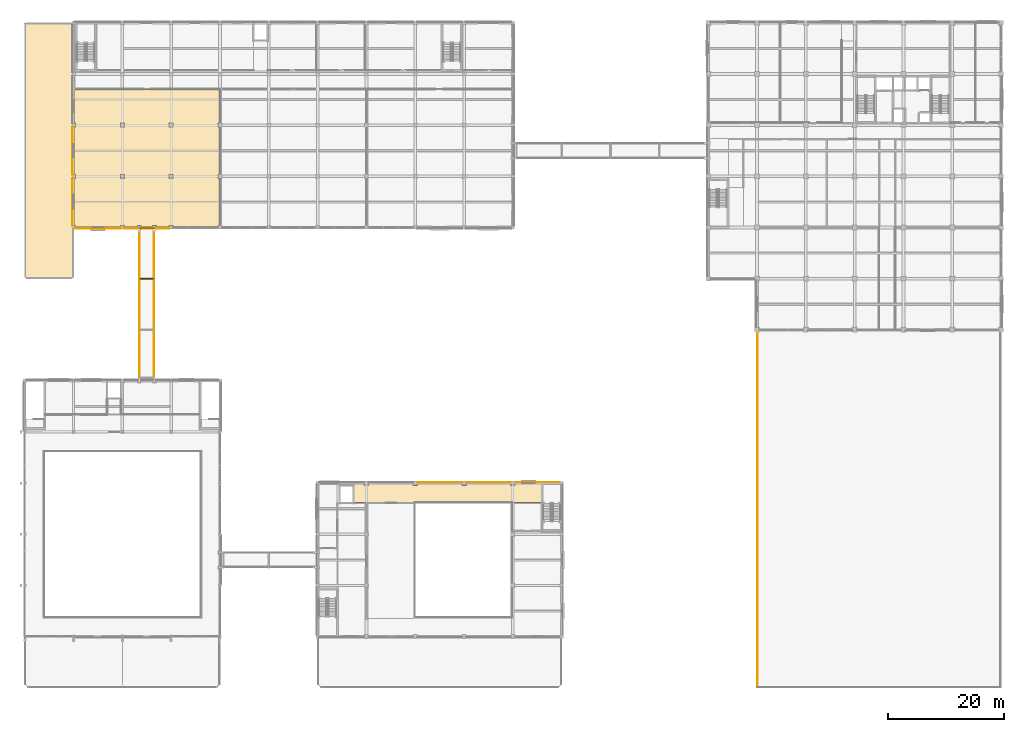
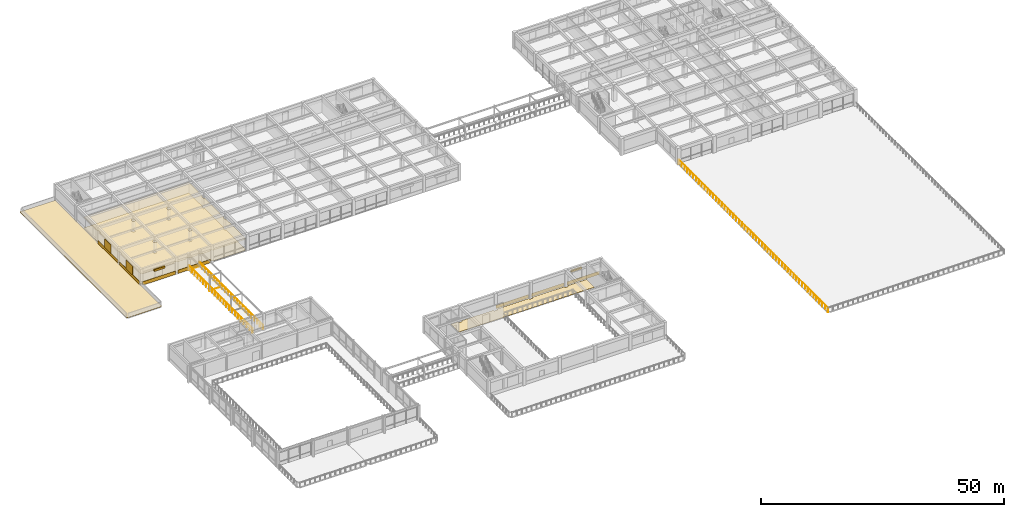
# One storey, part 48 of 57: 15 coverings, 4 shading devices, 3 railings.
"""IFC4 building model written with IfcOpenShell, lengths in metres."""

from ifc_helpers import new_model, si_unit, direction, frame, origin, origin_2d, place, context, subcontext, project, spatial, polyline, rectangle, circle, outline, extrude, material, layer, layer_set, type_object, element, save


model = new_model("IFC4")

# Units and contexts
model_context = context("Model", 3, precision=1e-05, world=origin(), true_north=direction((0.0, 1.0)))
body_context = subcontext(model_context, "Body", "Model", "MODEL_VIEW")
ifc_project = project(units=[si_unit("LENGTHUNIT", "METRE"), si_unit("AREAUNIT", "SQUARE_METRE"), si_unit("VOLUMEUNIT", "CUBIC_METRE"), si_unit("PLANEANGLEUNIT", "RADIAN"), si_unit("MASSUNIT", "GRAM", prefix="KILO")], contexts=[model_context])

# Site, building, storey
site_placement = place(None, origin())
site = spatial("IfcSite", under=ifc_project, at=site_placement, CompositionType="ELEMENT")
building_placement = place(site_placement, origin())
building = spatial("IfcBuilding", under=site, at=building_placement, Name="Kemercrest Conservatory and Botanical Centre", CompositionType="ELEMENT")
storey_placement = place(building_placement, frame((0.0, 0.0, 4.800048828125)))
storey = spatial("IfcBuildingStorey", under=building, at=storey_placement, Name="L01", CompositionType="ELEMENT", Elevation=4.800048828125)

# Coverings
ifc_material_1 = material(Name="Glazed turquoise ceramic tile spandrel", Category="masonry")
ifc_layer_1 = layer(ifc_material_1, 0.028076171875)
ifc_layer_set_1 = layer_set([ifc_layer_1], Name="Glazed turquoise ceramic tile spandrel")
covering_type_1 = type_object("IfcCoveringType", Name="CV-CLD028", PredefinedType="CLADDING", material=ifc_layer_set_1)
covering_1_placement = place(storey_placement, origin())
element("IfcCovering", 1, at=covering_1_placement, inside=storey, type_object=covering_type_1, Name="Exterior stone spandrel cladding (WAL:L01:EXT-045)", PredefinedType="CLADDING", context=body_context, shape_type="SweptSolid", body=[
    extrude(outline(polyline([(100.090087890625, 43.35009765625), (100.090087890625, 43.3779296875), (92.360107421875, 43.3779296875), (92.360107421875, 43.35009765625), (100.090087890625, 43.35009765625)])), origin(), (0.0, 0.0, 1.0), 0.849853515625),
])
covering_2_placement = place(storey_placement, origin())
element("IfcCovering", 2, at=covering_2_placement, inside=storey, type_object=covering_type_1, Name="Exterior stone spandrel cladding (WAL:L01:EXT-046)", PredefinedType="CLADDING", context=body_context, shape_type="SweptSolid", body=[
    extrude(outline(polyline([(91.639892578125, 43.35009765625), (91.639892578125, 43.3779296875), (83.9599609375, 43.3779296875), (83.9599609375, 43.35009765625), (91.639892578125, 43.35009765625)])), origin(), (0.0, 0.0, 1.0), 0.849853515625),
])
covering_3_placement = place(storey_placement, origin())
element("IfcCovering", 3, at=covering_3_placement, inside=storey, type_object=covering_type_1, Name="Exterior stone spandrel cladding (WAL:L01:EXT-047)", PredefinedType="CLADDING", context=body_context, shape_type="SweptSolid", body=[
    extrude(outline(polyline([(83.239990234375, 43.35009765625), (83.239990234375, 43.3779296875), (75.56005859375, 43.3779296875), (75.56005859375, 43.35009765625), (83.239990234375, 43.35009765625)])), origin(), (0.0, 0.0, 1.0), 0.849853515625),
])
ifc_material_2 = material(Name="Honed limestone almasik ashlar rainscreen", Category="masonry")
ifc_layer_2 = layer(ifc_material_2, 0.0400390625)
ifc_layer_set_2 = layer_set([ifc_layer_2], Name="Honed limestone almasik ashlar rainscreen")
covering_type_2 = type_object("IfcCoveringType", Name="CV-CLD040", PredefinedType="CLADDING", material=ifc_layer_set_2)
covering_4_placement = place(storey_placement, origin())
element("IfcCovering", 4, at=covering_4_placement, inside=storey, type_object=covering_type_2, Name="Exterior stone spandrel cladding (WAL:L01:EXT-096)", PredefinedType="CLADDING", context=body_context, shape_type="SweptSolid", body=[
    extrude(outline(polyline([(16.7099609375, 87.050048828125), (16.7099609375, 87.010009765625), (24.489990234375, 87.010009765625), (24.489990234375, 87.050048828125), (16.7099609375, 87.050048828125)])), origin(), (0.0, 0.0, 1.0), 0.849853515625),
])
covering_5_placement = place(storey_placement, origin())
element("IfcCovering", 5, at=covering_5_placement, inside=storey, type_object=covering_type_2, Name="Exterior stone spandrel cladding (WAL:L01:EXT-097-S1)", PredefinedType="CLADDING", context=body_context, shape_type="SweptSolid", body=[
    extrude(outline(polyline([(25.110107421875, 87.050048828125), (25.110107421875, 87.010009765625), (27.389892578125, 87.010009765625), (27.389892578125, 87.050048828125), (25.110107421875, 87.050048828125)])), origin(), (0.0, 0.0, 1.0), 0.849853515625),
])
covering_6_placement = place(storey_placement, origin())
element("IfcCovering", 6, at=covering_6_placement, inside=storey, type_object=covering_type_2, Name="Exterior stone spandrel cladding (WAL:L01:EXT-097-S2)", PredefinedType="CLADDING", context=body_context, shape_type="SweptSolid", body=[
    extrude(outline(polyline([(28.010009765625, 87.050048828125), (28.010009765625, 87.010009765625), (29.989990234375, 87.010009765625), (29.989990234375, 87.050048828125), (28.010009765625, 87.050048828125)])), origin(), (0.0, 0.0, 1.0), 0.849853515625),
])
covering_7_placement = place(storey_placement, origin())
element("IfcCovering", 7, at=covering_7_placement, inside=storey, type_object=covering_type_2, Name="Exterior stone spandrel cladding (WAL:L01:EXT-097-S3)", PredefinedType="CLADDING", context=body_context, shape_type="SweptSolid", body=[
    extrude(outline(polyline([(30.610107421875, 87.050048828125), (30.610107421875, 87.010009765625), (32.889892578125, 87.010009765625), (32.889892578125, 87.050048828125), (30.610107421875, 87.050048828125)])), origin(), (0.0, 0.0, 1.0), 0.849853515625),
])
covering_8_placement = place(storey_placement, origin())
element("IfcCovering", 8, at=covering_8_placement, inside=storey, type_object=covering_type_2, Name="Exterior stone spandrel cladding (WAL:L01:EXT-115)", PredefinedType="CLADDING", context=body_context, shape_type="SweptSolid", body=[
    extrude(outline(polyline([(16.25, 104.489990234375), (16.2099609375, 104.489990234375), (16.2099609375, 96.31005859375), (16.25, 96.31005859375), (16.25, 104.489990234375)])), origin(), (0.0, 0.0, 1.0), 0.849853515625),
])
covering_9_placement = place(storey_placement, origin())
element("IfcCovering", 9, at=covering_9_placement, inside=storey, type_object=covering_type_2, Name="Exterior stone spandrel cladding (WAL:L01:EXT-116)", PredefinedType="CLADDING", context=body_context, shape_type="SweptSolid", body=[
    extrude(outline(polyline([(16.25, 95.68994140625), (16.2099609375, 95.68994140625), (16.2099609375, 87.510009765625), (16.25, 87.510009765625), (16.25, 95.68994140625)])), origin(), (0.0, 0.0, 1.0), 0.849853515625),
])
ifc_material_3 = material(Name="Perforated acoustic gypsum and mineral-fibre suspended ceiling", Category="gypsum")
ifc_layer_3 = layer(ifc_material_3, 0.034912109375)
ifc_layer_set_3 = layer_set([ifc_layer_3], Name="Perforated acoustic gypsum and mineral-fibre suspended ceiling")
covering_type_3 = type_object("IfcCoveringType", Name="CV-CLG035", PredefinedType="CEILING", material=ifc_layer_set_3)
covering_10_placement = place(storey_placement, frame((0.0, 0.0, 2.699951171875)))
element("IfcCovering", 10, at=covering_10_placement, inside=storey, type_object=covering_type_3, Name="Education Studio suspended acoustic ceiling", PredefinedType="CEILING", context=body_context, shape_type="SweptSolid", body=[
    extrude(outline(polyline([(32.860107421875, 87.5400390625), (33.5400390625, 87.5400390625), (33.5400390625, 87.280029296875), (41.260009765625, 87.280029296875), (41.260009765625, 87.5400390625), (41.52001953125, 87.5400390625), (41.52001953125, 95.659912109375), (41.260009765625, 95.659912109375), (41.260009765625, 96.340087890625), (41.52001953125, 96.340087890625), (41.52001953125, 104.4599609375), (41.260009765625, 104.4599609375), (41.260009765625, 105.139892578125), (41.52001953125, 105.139892578125), (41.52001953125, 110.919921875), (16.47998046875, 110.919921875), (16.47998046875, 105.139892578125), (16.739990234375, 105.139892578125), (16.739990234375, 104.4599609375), (16.47998046875, 104.4599609375), (16.47998046875, 96.340087890625), (16.739990234375, 96.340087890625), (16.739990234375, 95.659912109375), (16.47998046875, 95.659912109375), (16.47998046875, 87.5400390625), (16.739990234375, 87.5400390625), (16.739990234375, 87.280029296875), (24.4599609375, 87.280029296875), (24.4599609375, 87.5400390625), (25.139892578125, 87.5400390625), (25.139892578125, 87.280029296875), (27.360107421875, 87.280029296875), (27.360107421875, 87.5400390625), (28.0400390625, 87.5400390625), (28.0400390625, 87.280029296875), (29.9599609375, 87.280029296875), (29.9599609375, 87.5400390625), (30.639892578125, 87.5400390625), (30.639892578125, 87.280029296875), (32.860107421875, 87.280029296875), (32.860107421875, 87.5400390625)]), holes=[polyline([(32.860107421875, 104.4599609375), (32.860107421875, 105.139892578125), (33.5400390625, 105.139892578125), (33.5400390625, 104.4599609375), (32.860107421875, 104.4599609375)]), polyline([(33.5400390625, 95.659912109375), (32.860107421875, 95.659912109375), (32.860107421875, 96.340087890625), (33.5400390625, 96.340087890625), (33.5400390625, 95.659912109375)]), polyline([(24.4599609375, 95.659912109375), (24.4599609375, 96.340087890625), (25.139892578125, 96.340087890625), (25.139892578125, 95.659912109375), (24.4599609375, 95.659912109375)]), polyline([(25.139892578125, 104.4599609375), (24.4599609375, 104.4599609375), (24.4599609375, 105.139892578125), (25.139892578125, 105.139892578125), (25.139892578125, 104.4599609375)])]), origin(), (0.0, 0.0, 1.0), 0.034912109375),
])
ifc_material_4 = material(Name="Polished limestone terrazzo and seamless laboratory epoxy flooring", Category="masonry")
ifc_layer_4 = layer(ifc_material_4, 0.02001953125)
ifc_layer_set_4 = layer_set([ifc_layer_4], Name="Polished limestone terrazzo and seamless laboratory epoxy flooring")
covering_type_4 = type_object("IfcCoveringType", Name="CV-FLR020", PredefinedType="FLOORING", material=ifc_layer_set_4)
covering_11_placement = place(storey_placement, origin())
element("IfcCovering", 11, at=covering_11_placement, inside=storey, type_object=covering_type_4, Name="North Auditorium Exit Passage terrazzo floor finish", PredefinedType="FLOORING", context=body_context, shape_type="SweptSolid", body=[
    extrude(outline(polyline([(64.679931640625, 39.8798828125), (96.919921875, 39.8798828125), (96.919921875, 43.1201171875), (92.389892578125, 43.1201171875), (92.389892578125, 42.81005859375), (91.610107421875, 42.81005859375), (91.610107421875, 43.1201171875), (83.989990234375, 43.1201171875), (83.989990234375, 42.81005859375), (83.2099609375, 42.81005859375), (83.2099609375, 43.1201171875), (75.590087890625, 43.1201171875), (75.590087890625, 42.81005859375), (74.81005859375, 42.81005859375), (74.81005859375, 43.1201171875), (67.18994140625, 43.1201171875), (67.18994140625, 42.81005859375), (66.409912109375, 42.81005859375), (66.409912109375, 43.1201171875), (64.679931640625, 43.1201171875), (64.679931640625, 39.8798828125)])), origin(), (0.0, 0.0, 1.0), 0.02001953125),
])
covering_12_placement = place(storey_placement, origin())
element("IfcCovering", 12, at=covering_12_placement, inside=storey, type_object=covering_type_4, Name="Education Studio floor finish", PredefinedType="FLOORING", context=body_context, shape_type="SweptSolid", body=[
    extrude(outline(polyline([(32.860107421875, 87.5400390625), (33.5400390625, 87.5400390625), (33.5400390625, 87.280029296875), (41.260009765625, 87.280029296875), (41.260009765625, 87.5400390625), (41.52001953125, 87.5400390625), (41.52001953125, 95.659912109375), (41.260009765625, 95.659912109375), (41.260009765625, 96.340087890625), (41.52001953125, 96.340087890625), (41.52001953125, 104.4599609375), (41.260009765625, 104.4599609375), (41.260009765625, 105.139892578125), (41.52001953125, 105.139892578125), (41.52001953125, 110.919921875), (16.47998046875, 110.919921875), (16.47998046875, 105.139892578125), (16.739990234375, 105.139892578125), (16.739990234375, 104.4599609375), (16.47998046875, 104.4599609375), (16.47998046875, 96.340087890625), (16.739990234375, 96.340087890625), (16.739990234375, 95.659912109375), (16.47998046875, 95.659912109375), (16.47998046875, 87.5400390625), (16.739990234375, 87.5400390625), (16.739990234375, 87.280029296875), (24.4599609375, 87.280029296875), (24.4599609375, 87.5400390625), (25.139892578125, 87.5400390625), (25.139892578125, 87.280029296875), (27.360107421875, 87.280029296875), (27.360107421875, 87.5400390625), (28.0400390625, 87.5400390625), (28.0400390625, 87.280029296875), (29.9599609375, 87.280029296875), (29.9599609375, 87.5400390625), (30.639892578125, 87.5400390625), (30.639892578125, 87.280029296875), (32.860107421875, 87.280029296875), (32.860107421875, 87.5400390625)]), holes=[polyline([(32.860107421875, 104.4599609375), (32.860107421875, 105.139892578125), (33.5400390625, 105.139892578125), (33.5400390625, 104.4599609375), (32.860107421875, 104.4599609375)]), polyline([(33.5400390625, 95.659912109375), (32.860107421875, 95.659912109375), (32.860107421875, 96.340087890625), (33.5400390625, 96.340087890625), (33.5400390625, 95.659912109375)]), polyline([(24.4599609375, 95.659912109375), (24.4599609375, 96.340087890625), (25.139892578125, 96.340087890625), (25.139892578125, 95.659912109375), (24.4599609375, 95.659912109375)]), polyline([(25.139892578125, 104.4599609375), (24.4599609375, 104.4599609375), (24.4599609375, 105.139892578125), (25.139892578125, 105.139892578125), (25.139892578125, 104.4599609375)])]), origin(), (0.0, 0.0, 1.0), 0.02001953125),
])
covering_13_placement = place(storey_placement, frame((0.0, 0.0, -0.02001953125)))
element("IfcCovering", 13, at=covering_13_placement, inside=storey, type_object=covering_type_4, Name="Seismic bridge SJ-2 architectural floor slide plate", PredefinedType="FLOORING", context=body_context, shape_type="SweptSolid", body=[
    extrude(outline(polyline([(27.699951171875, 78.300048828125), (30.300048828125, 78.300048828125), (30.300048828125, 78.5), (27.699951171875, 78.5), (27.699951171875, 78.300048828125)])), origin(), (0.0, 0.0, 1.0), 0.02001953125),
])
covering_14_placement = place(storey_placement, frame((0.0, 0.0, -0.02001953125)))
element("IfcCovering", 14, at=covering_14_placement, inside=storey, type_object=covering_type_4, Name="Seismic bridge SJ-2 architectural floor slide plate", PredefinedType="FLOORING", context=body_context, shape_type="SweptSolid", body=[
    extrude(outline(polyline([(27.699951171875, 86.949951171875), (30.300048828125, 86.949951171875), (30.300048828125, 87.199951171875), (27.699951171875, 87.199951171875), (27.699951171875, 86.949951171875)])), origin(), (0.0, 0.0, 1.0), 0.02001953125),
])
ifc_material_5 = material(Name="SBS modified bitumen insulated roofing membrane", Category="roofing")
ifc_layer_5 = layer(ifc_material_5, 0.06005859375)
ifc_layer_set_5 = layer_set([ifc_layer_5], Name="SBS modified bitumen insulated roofing membrane")
covering_type_5 = type_object("IfcCoveringType", Name="CV-RFG060", PredefinedType="ROOFING", material=ifc_layer_set_5)
covering_15_placement = place(storey_placement, origin())
element("IfcCovering", 15, at=covering_15_placement, inside=storey, type_object=covering_type_5, Name="Insulated roof membrane covering (V3 Vehicle Ramp Enclosure Roof Slab)", PredefinedType="ROOFING", context=body_context, shape_type="SweptSolid", body=[
    extrude(outline(polyline([(8.25, 78.39990234375), (16.14990234375, 78.39990234375), (16.39990234375, 78.64990234375), (16.39990234375, 122.39990234375), (8.0, 122.39990234375), (8.0, 78.64990234375), (8.25, 78.39990234375)])), origin(), (0.0, 0.0, 1.0), 0.06005859375),
])

# Railings
ifc_material_6 = material(Name="Architectural bronze-anodized steel balustrade", Category="steel")
railing_type_1 = type_object("IfcRailingType", Name="GR-BRG112", PredefinedType="GUARDRAIL", material=ifc_material_6)
railing_1_placement = place(storey_placement, frame((27.760009765625, 60.89990234375, 0.0)))
element("IfcRailing", 16, at=railing_1_placement, inside=storey, type_object=railing_type_1, Name="Seismic bridge SJ-2 side guardrail 1", PredefinedType="GUARDRAIL", context=body_context, shape_type="SweptSolid", body=[
    extrude(circle(Radius=0.02392578125, at=origin_2d()), frame((0.0, 0.0, 1.09619140625), z_axis=(0.0, 1.0, 0.0), x_axis=(-1.0, 0.0, 0.0)), (0.0, 0.0, 1.0), 26.10009765625),
    extrude(circle(Radius=0.02099609375, at=origin_2d()), origin(), (0.0, 0.0, 1.0), 1.072021484375),
    extrude(circle(Radius=0.02099609375, at=origin_2d()), frame((0.0, 1.186279296875, 0.0)), (0.0, 0.0, 1.0), 1.072021484375),
    extrude(circle(Radius=0.02099609375, at=origin_2d()), frame((0.0, 2.372802734375, 0.0)), (0.0, 0.0, 1.0), 1.072021484375),
    extrude(circle(Radius=0.02099609375, at=origin_2d()), frame((0.0, 3.55908203125, 0.0)), (0.0, 0.0, 1.0), 1.072021484375),
    extrude(circle(Radius=0.02099609375, at=origin_2d()), frame((0.0, 4.745361328125, 0.0)), (0.0, 0.0, 1.0), 1.072021484375),
    extrude(circle(Radius=0.02099609375, at=origin_2d()), frame((0.0, 5.931884765625, 0.0)), (0.0, 0.0, 1.0), 1.072021484375),
    extrude(circle(Radius=0.02099609375, at=origin_2d()), frame((0.0, 7.1181640625, 0.0)), (0.0, 0.0, 1.0), 1.072021484375),
    extrude(circle(Radius=0.02099609375, at=origin_2d()), frame((0.0, 8.3046875, 0.0)), (0.0, 0.0, 1.0), 1.072021484375),
    extrude(circle(Radius=0.02099609375, at=origin_2d()), frame((0.0, 9.490966796875, 0.0)), (0.0, 0.0, 1.0), 1.072021484375),
    extrude(circle(Radius=0.02099609375, at=origin_2d()), frame((0.0, 10.67724609375, 0.0)), (0.0, 0.0, 1.0), 1.072021484375),
    extrude(circle(Radius=0.02099609375, at=origin_2d()), frame((0.0, 11.86376953125, 0.0)), (0.0, 0.0, 1.0), 1.072021484375),
    extrude(circle(Radius=0.02099609375, at=origin_2d()), frame((0.0, 13.050048828125, 0.0)), (0.0, 0.0, 1.0), 1.072021484375),
    extrude(circle(Radius=0.02099609375, at=origin_2d()), frame((0.0, 14.236328125, 0.0)), (0.0, 0.0, 1.0), 1.072021484375),
    extrude(circle(Radius=0.02099609375, at=origin_2d()), frame((0.0, 15.4228515625, 0.0)), (0.0, 0.0, 1.0), 1.072021484375),
    extrude(circle(Radius=0.02099609375, at=origin_2d()), frame((0.0, 16.609130859375, 0.0)), (0.0, 0.0, 1.0), 1.072021484375),
    extrude(circle(Radius=0.02099609375, at=origin_2d()), frame((0.0, 17.79541015625, 0.0)), (0.0, 0.0, 1.0), 1.072021484375),
    extrude(circle(Radius=0.02099609375, at=origin_2d()), frame((0.0, 18.98193359375, 0.0)), (0.0, 0.0, 1.0), 1.072021484375),
    extrude(circle(Radius=0.02099609375, at=origin_2d()), frame((0.0, 20.168212890625, 0.0)), (0.0, 0.0, 1.0), 1.072021484375),
    extrude(circle(Radius=0.02099609375, at=origin_2d()), frame((0.0, 21.354736328125, 0.0)), (0.0, 0.0, 1.0), 1.072021484375),
    extrude(circle(Radius=0.02099609375, at=origin_2d()), frame((0.0, 22.541015625, 0.0)), (0.0, 0.0, 1.0), 1.072021484375),
    extrude(circle(Radius=0.02099609375, at=origin_2d()), frame((0.0, 23.727294921875, 0.0)), (0.0, 0.0, 1.0), 1.072021484375),
    extrude(circle(Radius=0.02099609375, at=origin_2d()), frame((0.0, 24.913818359375, 0.0)), (0.0, 0.0, 1.0), 1.072021484375),
    extrude(circle(Radius=0.02099609375, at=origin_2d()), frame((0.0, 26.10009765625, 0.0)), (0.0, 0.0, 1.0), 1.072021484375),
])
railing_2_placement = place(storey_placement, frame((30.239990234375, 60.89990234375, 0.0)))
element("IfcRailing", 17, at=railing_2_placement, inside=storey, type_object=railing_type_1, Name="Seismic bridge SJ-2 side guardrail 2", PredefinedType="GUARDRAIL", context=body_context, shape_type="SweptSolid", body=[
    extrude(circle(Radius=0.02392578125, at=origin_2d()), frame((0.0, 0.0, 1.09619140625), z_axis=(0.0, 1.0, 0.0), x_axis=(-1.0, 0.0, 0.0)), (0.0, 0.0, 1.0), 26.10009765625),
    extrude(circle(Radius=0.02099609375, at=origin_2d()), origin(), (0.0, 0.0, 1.0), 1.072021484375),
    extrude(circle(Radius=0.02099609375, at=origin_2d()), frame((0.0, 1.186279296875, 0.0)), (0.0, 0.0, 1.0), 1.072021484375),
    extrude(circle(Radius=0.02099609375, at=origin_2d()), frame((0.0, 2.372802734375, 0.0)), (0.0, 0.0, 1.0), 1.072021484375),
    extrude(circle(Radius=0.02099609375, at=origin_2d()), frame((0.0, 3.55908203125, 0.0)), (0.0, 0.0, 1.0), 1.072021484375),
    extrude(circle(Radius=0.02099609375, at=origin_2d()), frame((0.0, 4.745361328125, 0.0)), (0.0, 0.0, 1.0), 1.072021484375),
    extrude(circle(Radius=0.02099609375, at=origin_2d()), frame((0.0, 5.931884765625, 0.0)), (0.0, 0.0, 1.0), 1.072021484375),
    extrude(circle(Radius=0.02099609375, at=origin_2d()), frame((0.0, 7.1181640625, 0.0)), (0.0, 0.0, 1.0), 1.072021484375),
    extrude(circle(Radius=0.02099609375, at=origin_2d()), frame((0.0, 8.3046875, 0.0)), (0.0, 0.0, 1.0), 1.072021484375),
    extrude(circle(Radius=0.02099609375, at=origin_2d()), frame((0.0, 9.490966796875, 0.0)), (0.0, 0.0, 1.0), 1.072021484375),
    extrude(circle(Radius=0.02099609375, at=origin_2d()), frame((0.0, 10.67724609375, 0.0)), (0.0, 0.0, 1.0), 1.072021484375),
    extrude(circle(Radius=0.02099609375, at=origin_2d()), frame((0.0, 11.86376953125, 0.0)), (0.0, 0.0, 1.0), 1.072021484375),
    extrude(circle(Radius=0.02099609375, at=origin_2d()), frame((0.0, 13.050048828125, 0.0)), (0.0, 0.0, 1.0), 1.072021484375),
    extrude(circle(Radius=0.02099609375, at=origin_2d()), frame((0.0, 14.236328125, 0.0)), (0.0, 0.0, 1.0), 1.072021484375),
    extrude(circle(Radius=0.02099609375, at=origin_2d()), frame((0.0, 15.4228515625, 0.0)), (0.0, 0.0, 1.0), 1.072021484375),
    extrude(circle(Radius=0.02099609375, at=origin_2d()), frame((0.0, 16.609130859375, 0.0)), (0.0, 0.0, 1.0), 1.072021484375),
    extrude(circle(Radius=0.02099609375, at=origin_2d()), frame((0.0, 17.79541015625, 0.0)), (0.0, 0.0, 1.0), 1.072021484375),
    extrude(circle(Radius=0.02099609375, at=origin_2d()), frame((0.0, 18.98193359375, 0.0)), (0.0, 0.0, 1.0), 1.072021484375),
    extrude(circle(Radius=0.02099609375, at=origin_2d()), frame((0.0, 20.168212890625, 0.0)), (0.0, 0.0, 1.0), 1.072021484375),
    extrude(circle(Radius=0.02099609375, at=origin_2d()), frame((0.0, 21.354736328125, 0.0)), (0.0, 0.0, 1.0), 1.072021484375),
    extrude(circle(Radius=0.02099609375, at=origin_2d()), frame((0.0, 22.541015625, 0.0)), (0.0, 0.0, 1.0), 1.072021484375),
    extrude(circle(Radius=0.02099609375, at=origin_2d()), frame((0.0, 23.727294921875, 0.0)), (0.0, 0.0, 1.0), 1.072021484375),
    extrude(circle(Radius=0.02099609375, at=origin_2d()), frame((0.0, 24.913818359375, 0.0)), (0.0, 0.0, 1.0), 1.072021484375),
    extrude(circle(Radius=0.02099609375, at=origin_2d()), frame((0.0, 26.10009765625, 0.0)), (0.0, 0.0, 1.0), 1.072021484375),
])
railing_type_2 = type_object("IfcRailingType", Name="GR-TER110", PredefinedType="GUARDRAIL", material=ifc_material_6)
railing_3_placement = place(storey_placement, frame((134.10009765625, 69.5, 0.0)))
element("IfcRailing", 18, at=railing_3_placement, inside=storey, type_object=railing_type_2, Name="Safety guardrail GR-TER110 (V4-SE-TER-1)", PredefinedType="GUARDRAIL", context=body_context, shape_type="SweptSolid", body=[
    extrude(circle(Radius=0.02392578125, at=origin_2d()), frame((0.0, 0.0, 1.076171875), z_axis=(0.0, -1.0, 0.0), x_axis=(1.0, 0.0, 0.0)), (0.0, 0.0, 1.0), 61.39990234375),
    extrude(circle(Radius=0.02099609375, at=origin_2d()), origin(), (0.0, 0.0, 1.0), 1.052001953125),
    extrude(circle(Radius=0.02099609375, at=origin_2d()), frame((0.0, -1.1806640625, 0.0)), (0.0, 0.0, 1.0), 1.052001953125),
    extrude(circle(Radius=0.02099609375, at=origin_2d()), frame((0.0, -2.361572265625, 0.0)), (0.0, 0.0, 1.0), 1.052001953125),
    extrude(circle(Radius=0.02099609375, at=origin_2d()), frame((0.0, -3.542236328125, 0.0)), (0.0, 0.0, 1.0), 1.052001953125),
    extrude(circle(Radius=0.02099609375, at=origin_2d()), frame((0.0, -4.72314453125, 0.0)), (0.0, 0.0, 1.0), 1.052001953125),
    extrude(circle(Radius=0.02099609375, at=origin_2d()), frame((0.0, -5.90380859375, 0.0)), (0.0, 0.0, 1.0), 1.052001953125),
    extrude(circle(Radius=0.02099609375, at=origin_2d()), frame((0.0, -7.084716796875, 0.0)), (0.0, 0.0, 1.0), 1.052001953125),
    extrude(circle(Radius=0.02099609375, at=origin_2d()), frame((0.0, -8.265380859375, 0.0)), (0.0, 0.0, 1.0), 1.052001953125),
    extrude(circle(Radius=0.02099609375, at=origin_2d()), frame((0.0, -9.446044921875, 0.0)), (0.0, 0.0, 1.0), 1.052001953125),
    extrude(circle(Radius=0.02099609375, at=origin_2d()), frame((0.0, -10.626953125, 0.0)), (0.0, 0.0, 1.0), 1.052001953125),
    extrude(circle(Radius=0.02099609375, at=origin_2d()), frame((0.0, -11.8076171875, 0.0)), (0.0, 0.0, 1.0), 1.052001953125),
    extrude(circle(Radius=0.02099609375, at=origin_2d()), frame((0.0, -12.988525390625, 0.0)), (0.0, 0.0, 1.0), 1.052001953125),
    extrude(circle(Radius=0.02099609375, at=origin_2d()), frame((0.0, -14.169189453125, 0.0)), (0.0, 0.0, 1.0), 1.052001953125),
    extrude(circle(Radius=0.02099609375, at=origin_2d()), frame((0.0, -15.35009765625, 0.0)), (0.0, 0.0, 1.0), 1.052001953125),
    extrude(circle(Radius=0.02099609375, at=origin_2d()), frame((0.0, -16.53076171875, 0.0)), (0.0, 0.0, 1.0), 1.052001953125),
    extrude(circle(Radius=0.02099609375, at=origin_2d()), frame((0.0, -17.71142578125, 0.0)), (0.0, 0.0, 1.0), 1.052001953125),
    extrude(circle(Radius=0.02099609375, at=origin_2d()), frame((0.0, -18.892333984375, 0.0)), (0.0, 0.0, 1.0), 1.052001953125),
    extrude(circle(Radius=0.02099609375, at=origin_2d()), frame((0.0, -20.072998046875, 0.0)), (0.0, 0.0, 1.0), 1.052001953125),
    extrude(circle(Radius=0.02099609375, at=origin_2d()), frame((0.0, -21.25390625, 0.0)), (0.0, 0.0, 1.0), 1.052001953125),
    extrude(circle(Radius=0.02099609375, at=origin_2d()), frame((0.0, -22.4345703125, 0.0)), (0.0, 0.0, 1.0), 1.052001953125),
    extrude(circle(Radius=0.02099609375, at=origin_2d()), frame((0.0, -23.615234375, 0.0)), (0.0, 0.0, 1.0), 1.052001953125),
    extrude(circle(Radius=0.02099609375, at=origin_2d()), frame((0.0, -24.796142578125, 0.0)), (0.0, 0.0, 1.0), 1.052001953125),
    extrude(circle(Radius=0.02099609375, at=origin_2d()), frame((0.0, -25.976806640625, 0.0)), (0.0, 0.0, 1.0), 1.052001953125),
    extrude(circle(Radius=0.02099609375, at=origin_2d()), frame((0.0, -27.15771484375, 0.0)), (0.0, 0.0, 1.0), 1.052001953125),
    extrude(circle(Radius=0.02099609375, at=origin_2d()), frame((0.0, -28.33837890625, 0.0)), (0.0, 0.0, 1.0), 1.052001953125),
    extrude(circle(Radius=0.02099609375, at=origin_2d()), frame((0.0, -29.519287109375, 0.0)), (0.0, 0.0, 1.0), 1.052001953125),
    extrude(circle(Radius=0.02099609375, at=origin_2d()), frame((0.0, -30.699951171875, 0.0)), (0.0, 0.0, 1.0), 1.052001953125),
    extrude(circle(Radius=0.02099609375, at=origin_2d()), frame((0.0, -31.880615234375, 0.0)), (0.0, 0.0, 1.0), 1.052001953125),
    extrude(circle(Radius=0.02099609375, at=origin_2d()), frame((0.0, -33.0615234375, 0.0)), (0.0, 0.0, 1.0), 1.052001953125),
    extrude(circle(Radius=0.02099609375, at=origin_2d()), frame((0.0, -34.2421875, 0.0)), (0.0, 0.0, 1.0), 1.052001953125),
    extrude(circle(Radius=0.02099609375, at=origin_2d()), frame((0.0, -35.423095703125, 0.0)), (0.0, 0.0, 1.0), 1.052001953125),
    extrude(circle(Radius=0.02099609375, at=origin_2d()), frame((0.0, -36.603759765625, 0.0)), (0.0, 0.0, 1.0), 1.052001953125),
    extrude(circle(Radius=0.02099609375, at=origin_2d()), frame((0.0, -37.78466796875, 0.0)), (0.0, 0.0, 1.0), 1.052001953125),
    extrude(circle(Radius=0.02099609375, at=origin_2d()), frame((0.0, -38.96533203125, 0.0)), (0.0, 0.0, 1.0), 1.052001953125),
    extrude(circle(Radius=0.02099609375, at=origin_2d()), frame((0.0, -40.14599609375, 0.0)), (0.0, 0.0, 1.0), 1.052001953125),
    extrude(circle(Radius=0.02099609375, at=origin_2d()), frame((0.0, -41.326904296875, 0.0)), (0.0, 0.0, 1.0), 1.052001953125),
    extrude(circle(Radius=0.02099609375, at=origin_2d()), frame((0.0, -42.507568359375, 0.0)), (0.0, 0.0, 1.0), 1.052001953125),
    extrude(circle(Radius=0.02099609375, at=origin_2d()), frame((0.0, -43.6884765625, 0.0)), (0.0, 0.0, 1.0), 1.052001953125),
    extrude(circle(Radius=0.02099609375, at=origin_2d()), frame((0.0, -44.869140625, 0.0)), (0.0, 0.0, 1.0), 1.052001953125),
    extrude(circle(Radius=0.02099609375, at=origin_2d()), frame((0.0, -46.0498046875, 0.0)), (0.0, 0.0, 1.0), 1.052001953125),
    extrude(circle(Radius=0.02099609375, at=origin_2d()), frame((0.0, -47.230712890625, 0.0)), (0.0, 0.0, 1.0), 1.052001953125),
    extrude(circle(Radius=0.02099609375, at=origin_2d()), frame((0.0, -48.411376953125, 0.0)), (0.0, 0.0, 1.0), 1.052001953125),
    extrude(circle(Radius=0.02099609375, at=origin_2d()), frame((0.0, -49.59228515625, 0.0)), (0.0, 0.0, 1.0), 1.052001953125),
    extrude(circle(Radius=0.02099609375, at=origin_2d()), frame((0.0, -50.77294921875, 0.0)), (0.0, 0.0, 1.0), 1.052001953125),
    extrude(circle(Radius=0.02099609375, at=origin_2d()), frame((0.0, -51.953857421875, 0.0)), (0.0, 0.0, 1.0), 1.052001953125),
    extrude(circle(Radius=0.02099609375, at=origin_2d()), frame((0.0, -53.134521484375, 0.0)), (0.0, 0.0, 1.0), 1.052001953125),
    extrude(circle(Radius=0.02099609375, at=origin_2d()), frame((0.0, -54.315185546875, 0.0)), (0.0, 0.0, 1.0), 1.052001953125),
    extrude(circle(Radius=0.02099609375, at=origin_2d()), frame((0.0, -55.49609375, 0.0)), (0.0, 0.0, 1.0), 1.052001953125),
    extrude(circle(Radius=0.02099609375, at=origin_2d()), frame((0.0, -56.6767578125, 0.0)), (0.0, 0.0, 1.0), 1.052001953125),
    extrude(circle(Radius=0.02099609375, at=origin_2d()), frame((0.0, -57.857666015625, 0.0)), (0.0, 0.0, 1.0), 1.052001953125),
    extrude(circle(Radius=0.02099609375, at=origin_2d()), frame((0.0, -59.038330078125, 0.0)), (0.0, 0.0, 1.0), 1.052001953125),
    extrude(circle(Radius=0.02099609375, at=origin_2d()), frame((0.0, -60.21923828125, 0.0)), (0.0, 0.0, 1.0), 1.052001953125),
    extrude(circle(Radius=0.02099609375, at=origin_2d()), frame((0.0, -61.39990234375, 0.0)), (0.0, 0.0, 1.0), 1.052001953125),
])

# Shading devices
ifc_material_7 = material(Name="Architectural bronze-anodized extruded aluminium", Category="aluminium")
shading_device_type_1 = type_object("IfcShadingDeviceType", Name="SH-JL01", PredefinedType="JALOUSIE", material=ifc_material_7)
shading_device_1_placement = place(storey_placement, frame((94.679931640625, 43.52294921875, 2.8349609375), z_axis=(0.0, 0.0, 1.0), x_axis=(-1.0, 0.0, 0.0)))
element("IfcShadingDevice", 19, at=shading_device_1_placement, inside=storey, type_object=shading_device_type_1, Name="Solar control louvre visor SH-JL01 (WIN:L01:EXT-045)", PredefinedType="JALOUSIE", context=body_context, shape_type="SweptSolid", body=[
    extrude(rectangle(XDim=2.5, YDim=0.35009765625, at=origin_2d()), origin(), (0.0, 0.0, 1.0), 0.449951171875),
])
shading_device_type_2 = type_object("IfcShadingDeviceType", Name="SH-JL02", PredefinedType="JALOUSIE", material=ifc_material_7)
shading_device_2_placement = place(storey_placement, frame((20.60009765625, 86.876953125, 2.69482421875), z_axis=(0.0, 0.0, 1.0), x_axis=(1.0, 0.0, 0.0)))
element("IfcShadingDevice", 20, at=shading_device_2_placement, inside=storey, type_object=shading_device_type_2, Name="Solar control louvre visor SH-JL02 (WIN:L01:EXT-096)", PredefinedType="JALOUSIE", context=body_context, shape_type="SweptSolid", body=[
    extrude(rectangle(XDim=2.5, YDim=0.35009765625, at=origin_2d()), origin(), (0.0, 0.0, 1.0), 0.449951171875),
])
ifc_material_8 = material(Name="Perforated bronze-anodized aluminium", Category="aluminium")
shading_device_type_3 = type_object("IfcShadingDeviceType", Name="SH-MS01", PredefinedType="USERDEFINED", material=ifc_material_8)
shading_device_3_placement = place(storey_placement, frame((16.2119140625, 100.39990234375, 0.81982421875), z_axis=(0.0, 0.0, 1.0), x_axis=(0.0, -1.0, 0.0)))
element("IfcShadingDevice", 21, at=shading_device_3_placement, inside=storey, type_object=shading_device_type_3, Name="Ottoman mashrabiya perforated screen SH-MS01 (WIN:L01:EXT-115)", ObjectType="MASHRABIYA SCREEN", PredefinedType="USERDEFINED", context=body_context, shape_type="SweptSolid", body=[
    extrude(rectangle(XDim=2.530029296875, YDim=0.080078125, at=origin_2d()), origin(), (0.0, 0.0, 1.0), 2.110107421875),
])
shading_device_type_4 = type_object("IfcShadingDeviceType", Name="SH-MS02", PredefinedType="USERDEFINED", material=ifc_material_8)
shading_device_4_placement = place(storey_placement, frame((16.2119140625, 91.60009765625, 0.81982421875), z_axis=(0.0, 0.0, 1.0), x_axis=(0.0, -1.0, 0.0)))
element("IfcShadingDevice", 22, at=shading_device_4_placement, inside=storey, type_object=shading_device_type_4, Name="Ottoman mashrabiya perforated screen SH-MS02 (WIN:L01:EXT-116)", ObjectType="MASHRABIYA SCREEN", PredefinedType="USERDEFINED", context=body_context, shape_type="SweptSolid", body=[
    extrude(rectangle(XDim=2.679931640625, YDim=0.080078125, at=origin_2d()), origin(), (0.0, 0.0, 1.0), 2.159912109375),
])

save(model, "model.ifc")
